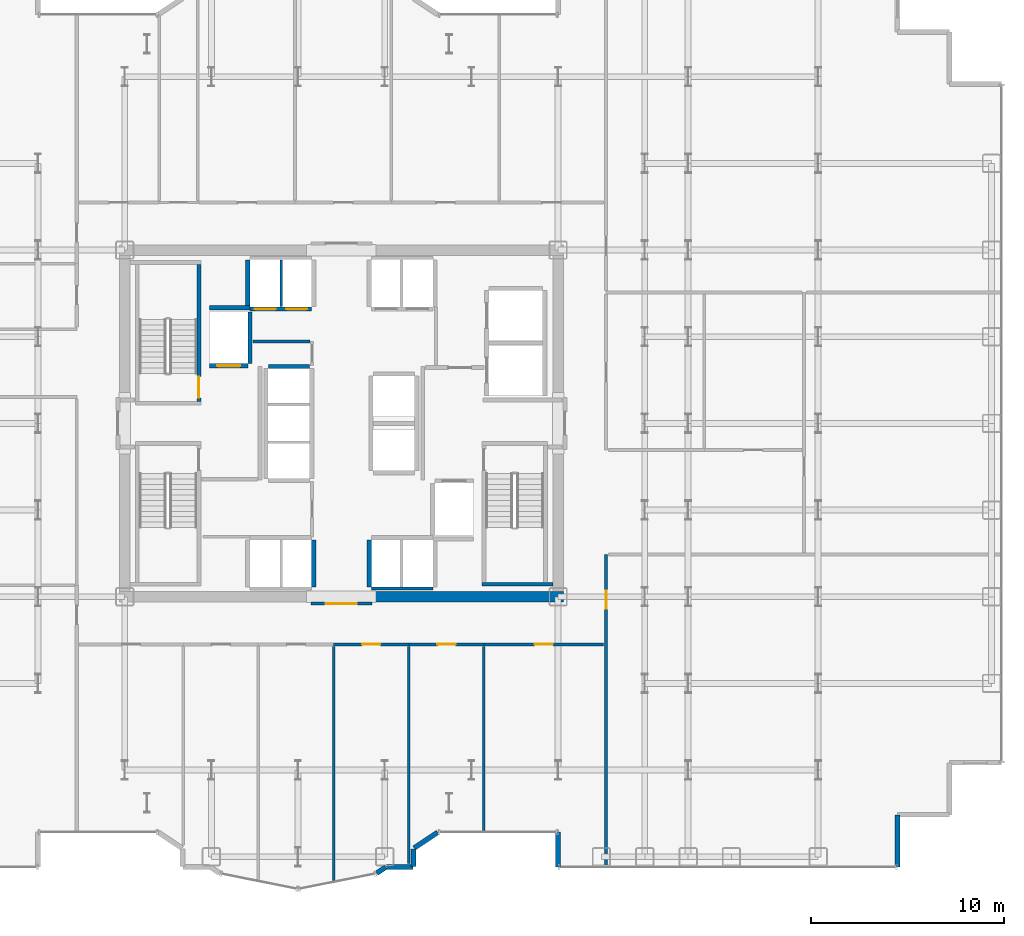
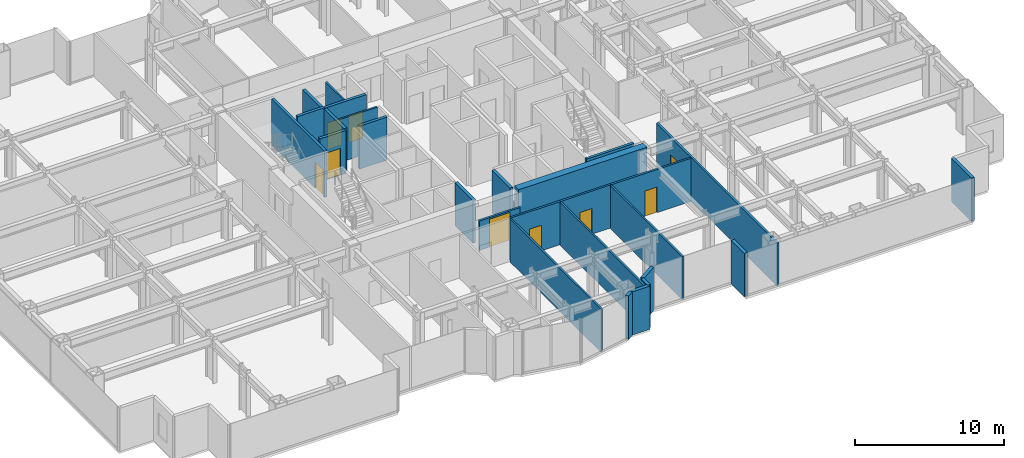
# One storey, part 21 of 25: 28 walls, 9 doors, 9 openings.
"""IFC4 building model written with IfcOpenShell, lengths in metres."""

from ifc_helpers import new_model, si_unit, direction, frame, frame_2d, origin, place, context, subcontext, project, spatial, rectangle, extrude, source, transform, mapped, material, layer, layer_set, type_object, element, fill, save


model = new_model("IFC4")

# Units and contexts
model_context = context("Model", 3, precision=1e-05, world=origin(), true_north=direction((0.0, 1.0)))
body_context = subcontext(model_context, "Body", "Model", "MODEL_VIEW")
ifc_project = project(units=[si_unit("LENGTHUNIT", "METRE"), si_unit("AREAUNIT", "SQUARE_METRE"), si_unit("VOLUMEUNIT", "CUBIC_METRE"), si_unit("PLANEANGLEUNIT", "RADIAN"), si_unit("MASSUNIT", "GRAM", prefix="KILO")], contexts=[model_context])

# Site, building, storey
site_placement = place(None, origin())
site = spatial("IfcSite", under=ifc_project, at=site_placement, CompositionType="ELEMENT")
building_placement = place(site_placement, origin())
building = spatial("IfcBuilding", under=site, at=building_placement, Name="Nefas-Gora Pilgrimage Tower", CompositionType="ELEMENT")
storey_placement = place(building_placement, frame((0.0, 0.0, 98.39990234375)))
storey = spatial("IfcBuildingStorey", under=building, at=storey_placement, Name="L23", CompositionType="ELEMENT", Elevation=98.39990234375)

# Walls
ifc_material_1 = material(Name="Concrete C60/75", Category="concrete")
ifc_layer_1 = layer(ifc_material_1, 0.550048828125)
ifc_layer_set_1 = layer_set([ifc_layer_1], Name="Concrete C60/75")
wall_type_1 = type_object("IfcWallType", Name="SW-CORE-550", PredefinedType="SHEAR", material=ifc_layer_set_1)
shared_shape_1 = source(origin(), body_context, "Body", "SweptSolid", [
    extrude(rectangle(XDim=9.974853515625, YDim=0.550048828125, at=frame_2d((4.9873046875, 0.0))), origin(), (0.0, 0.0, 1.0), 3.800048828125),
])
wall_1_placement = place(storey_placement, frame((1.550048828125, -9.0, 0.0), z_axis=(0.0, 0.0, 1.0), x_axis=(1.0, 0.0, 0.0)))
element("IfcWall", 1, at=wall_1_placement, inside=storey, type_object=wall_type_1, Name="L23 Core Shear Wall S-East", PredefinedType="SHEAR", context=body_context, shape_type="MappedRepresentation", body=[
    mapped(shared_shape_1, transform((0.0, 0.0, 0.0), x_axis=(1.0, 0.0, 0.0), y_axis=(0.0, 1.0, 0.0), z_axis=(0.0, 0.0, 1.0), scale=1.0)),
])
ifc_material_2 = material(Name="Precast concrete C40/50", Category="concrete")
ifc_layer_2 = layer(ifc_material_2, 0.260009765625)
ifc_layer_set_2 = layer_set([ifc_layer_2], Name="Precast concrete C40/50")
wall_type_2 = type_object("IfcWallType", Name="EW-PORTAL-260", PredefinedType="SOLIDWALL", material=ifc_layer_set_2)
shared_shape_2 = source(origin(), body_context, "Body", "SweptSolid", [
    extrude(rectangle(XDim=1.800048828125, YDim=0.260009765625, at=frame_2d((0.89990234375, 0.0))), origin(), (0.0, 0.0, 1.0), 3.550048828125),
])
wall_2_placement = place(storey_placement, frame((11.25, -21.219970703125, 0.0), z_axis=(0.0, 0.0, 1.0), x_axis=(0.0, -1.0, 0.0)))
element("IfcWall", 2, at=wall_2_placement, inside=storey, type_object=wall_type_2, Name="L23 Lobe Shoulder Precast Spandrel Pier 1", PredefinedType="SOLIDWALL", context=body_context, shape_type="MappedRepresentation", body=[
    mapped(shared_shape_2, transform((0.0, 0.0, 0.0), x_axis=(1.0, 0.0, 0.0), y_axis=(0.0, 1.0, 0.0), z_axis=(0.0, 0.0, 1.0), scale=1.0)),
])
ifc_material_3 = material(Name="Precast concrete C45/55", Category="concrete")
ifc_layer_3 = layer(ifc_material_3, 0.239990234375)
ifc_layer_set_3 = layer_set([ifc_layer_3], Name="Precast concrete C45/55")
wall_type_3 = type_object("IfcWallType", Name="EW-SERR-240", PredefinedType="SHEAR", material=ifc_layer_set_3)
shared_shape_3 = source(origin(), body_context, "Body", "SweptSolid", [
    extrude(rectangle(XDim=2.699951171875, YDim=0.239990234375, at=frame_2d((1.35009765625, 0.0))), origin(), (0.0, 0.0, 1.0), 3.550048828125),
])
wall_3_placement = place(storey_placement, frame((28.8701171875, -23.02001953125, 0.0), z_axis=(0.0, 0.0, 1.0), x_axis=(0.0, 1.0, 0.0)))
element("IfcWall", 3, at=wall_3_placement, inside=storey, type_object=wall_type_3, Name="L23 Serrated Corner Shear Pier Wall 2", PredefinedType="SHEAR", context=body_context, shape_type="MappedRepresentation", body=[
    mapped(shared_shape_3, transform((0.0, 0.0, 0.0), x_axis=(1.0, 0.0, 0.0), y_axis=(0.0, 1.0, 0.0), z_axis=(0.0, 0.0, 1.0), scale=1.0)),
])
shared_shape_4 = source(origin(), body_context, "Body", "SweptSolid", [
    extrude(rectangle(XDim=1.468994140625, YDim=0.260009765625, at=frame_2d((0.734375, 0.0))), origin(), (0.0, 0.0, 1.0), 3.550048828125),
])
wall_4_placement = place(storey_placement, frame((3.773193359375, -22.0517578125, 0.0), z_axis=(0.0, 0.0, 1.0), x_axis=(0.831461760506, 0.555581983884, 0.0)))
element("IfcWall", 4, at=wall_4_placement, inside=storey, type_object=wall_type_2, Name="L23 Lobe Shoulder Precast Spandrel Pier 36", PredefinedType="SOLIDWALL", context=body_context, shape_type="MappedRepresentation", body=[
    mapped(shared_shape_4, transform((0.0, 0.0, 0.0), x_axis=(1.0, 0.0, 0.0), y_axis=(0.0, 1.0, 0.0), z_axis=(0.0, 0.0, 1.0), scale=1.0)),
])
shared_shape_5 = source(origin(), body_context, "Body", "SweptSolid", [
    extrude(rectangle(XDim=0.896728515625, YDim=0.260009765625, at=frame_2d((0.4482421875, 0.0))), origin(), (0.0, 0.0, 1.0), 3.550048828125),
])
wall_5_placement = place(storey_placement, frame((3.75, -22.991943359375, 0.0), z_axis=(0.0, 0.0, 1.0), x_axis=(0.0, 1.0, 0.0)))
element("IfcWall", 5, at=wall_5_placement, inside=storey, type_object=wall_type_2, Name="L23 Lobe Shoulder Precast Spandrel Pier 35", PredefinedType="SOLIDWALL", context=body_context, shape_type="MappedRepresentation", body=[
    mapped(shared_shape_5, transform((0.0, 0.0, 0.0), x_axis=(1.0, 0.0, 0.0), y_axis=(0.0, 1.0, 0.0), z_axis=(0.0, 0.0, 1.0), scale=1.0)),
])
shared_shape_6 = source(origin(), body_context, "Body", "SweptSolid", [
    extrude(rectangle(XDim=1.369873046875, YDim=0.260009765625, at=frame_2d((0.68505859375, 0.0))), origin(), (0.0, 0.0, 1.0), 3.550048828125),
])
wall_6_placement = place(storey_placement, frame((2.35205078125, -23.02001953125, 0.0), z_axis=(0.0, 0.0, 1.0), x_axis=(1.0, 0.0, 0.0)))
element("IfcWall", 6, at=wall_6_placement, inside=storey, type_object=wall_type_2, Name="L23 Lobe Shoulder Precast Spandrel Pier 34", PredefinedType="SOLIDWALL", context=body_context, shape_type="MappedRepresentation", body=[
    mapped(shared_shape_6, transform((0.0, 0.0, 0.0), x_axis=(1.0, 0.0, 0.0), y_axis=(0.0, 1.0, 0.0), z_axis=(0.0, 0.0, 1.0), scale=1.0)),
])
shared_shape_7 = source(origin(), body_context, "Body", "SweptSolid", [
    extrude(rectangle(XDim=0.5654296875, YDim=0.260009765625, at=frame_2d((0.28271484375, 0.0))), origin(), (0.0, 0.0, 1.0), 3.550048828125),
])
wall_7_placement = place(storey_placement, frame((1.83056640625, -23.349609375, 0.0), z_axis=(0.0, 0.0, 1.0), x_axis=(0.831651492666, 0.555297933317, 0.0)))
element("IfcWall", 7, at=wall_7_placement, inside=storey, type_object=wall_type_2, Name="L23 Lobe Shoulder Precast Spandrel Pier 33", PredefinedType="SOLIDWALL", context=body_context, shape_type="MappedRepresentation", body=[
    mapped(shared_shape_7, transform((0.0, 0.0, 0.0), x_axis=(1.0, 0.0, 0.0), y_axis=(0.0, 1.0, 0.0), z_axis=(0.0, 0.0, 1.0), scale=1.0)),
])

# Wall, opening, door
ifc_material_4 = material(Name="Concrete C45/55", Category="concrete")
ifc_layer_4 = layer(ifc_material_4, 0.199951171875)
ifc_layer_set_4 = layer_set([ifc_layer_4], Name="Concrete C45/55")
wall_type_4 = type_object("IfcWallType", Name="IW-STAIR-200", PredefinedType="SOLIDWALL", material=ifc_layer_set_4)
shared_shape_8 = source(origin(), body_context, "Body", "SweptSolid", [
    extrude(rectangle(XDim=7.10009765625, YDim=0.199951171875, at=frame_2d((3.550048828125, 0.0))), origin(), (0.0, 0.0, 1.0), 3.800048828125),
])
wall_8_placement = place(storey_placement, frame((-7.39990234375, 1.14990234375, 0.0), z_axis=(0.0, 0.0, 1.0), x_axis=(0.0, 1.0, 0.0)))
wall_8 = element("IfcWall", 8, at=wall_8_placement, inside=storey, type_object=wall_type_4, Name="L23 Stairwell Shear Wall ST-01-left", PredefinedType="SOLIDWALL", context=body_context, shape_type="MappedRepresentation", body=[
    mapped(shared_shape_8, transform((0.0, 0.0, 0.0), x_axis=(1.0, 0.0, 0.0), y_axis=(0.0, 1.0, 0.0), z_axis=(0.0, 0.0, 1.0), scale=1.0)),
])
opening_1_placement = place(wall_8_placement, frame((0.179931640625, 0.0, 0.0)))
opening_1 = element("IfcOpeningElement", 9, at=opening_1_placement, cuts=wall_8, Name="Opening ID-ST1", PredefinedType="OPENING", context=body_context, shape_type="SweptSolid", body=[
    extrude(rectangle(XDim=1.10009765625, YDim=2.14990234375, at=frame_2d((0.550048828125, 1.074951171875))), frame((0.0, 0.10986328125, 0.0), z_axis=(0.0, -1.0, 0.0), x_axis=(1.0, 0.0, 0.0)), (0.0, 0.0, 1.0), 0.219970703125),
])
ifc_material_5 = material(Name="Painted galvanised steel fire stair door", Category="steel")
door_type_1 = type_object("IfcDoorType", Name="DR-INT-STAIR-1100", OperationType="NOTDEFINED", PredefinedType="DOOR", material=ifc_material_5)
shared_shape_9 = source(origin(), body_context, "Body", "SweptSolid", [
    extrude(rectangle(XDim=1.10009765625, YDim=2.14990234375, at=frame_2d((0.550048828125, 1.074951171875))), frame((0.0, 0.02490234375, 0.0), z_axis=(0.0, -1.0, 0.0), x_axis=(1.0, 0.0, 0.0)), (0.0, 0.0, 1.0), 0.050048828125),
])
door_1_placement = place(opening_1_placement, origin())
door_1 = element("IfcDoor", 10, at=door_1_placement, inside=storey, type_object=door_type_1, Name="L23 Protected Exit Stair Door ST-01", OperationType="SINGLE_SWING_LEFT", OverallHeight=2.14990234375, OverallWidth=1.10009765625, PredefinedType="DOOR", context=body_context, shape_type="MappedRepresentation", body=[
    mapped(shared_shape_9, transform((0.0, 0.0, 0.0), x_axis=(1.0, 0.0, 0.0), y_axis=(0.0, 1.0, 0.0), z_axis=(0.0, 0.0, 1.0), scale=1.0)),
])
fill(opening_1, door_1)

# Walls
shared_shape_10 = source(origin(), body_context, "Body", "SweptSolid", [
    extrude(rectangle(XDim=3.679931640625, YDim=0.199951171875, at=frame_2d((1.83984375, 0.0))), origin(), (0.0, 0.0, 1.0), 3.800048828125),
])
wall_9_placement = place(storey_placement, frame((7.300048828125, -8.35009765625, 0.0), z_axis=(0.0, 0.0, 1.0), x_axis=(1.0, 0.0, 0.0)))
element("IfcWall", 11, at=wall_9_placement, inside=storey, type_object=wall_type_4, Name="L23 Stairwell Shear Wall ST-02-far", PredefinedType="SOLIDWALL", context=body_context, shape_type="MappedRepresentation", body=[
    mapped(shared_shape_10, transform((0.0, 0.0, 0.0), x_axis=(1.0, 0.0, 0.0), y_axis=(0.0, 1.0, 0.0), z_axis=(0.0, 0.0, 1.0), scale=1.0)),
])
ifc_material_6 = material(Name="Gypsum acoustic stud partition")
ifc_layer_5 = layer(ifc_material_6, 0.159912109375)
ifc_layer_set_5 = layer_set([ifc_layer_5], Name="Gypsum acoustic stud partition")
wall_type_5 = type_object("IfcWallType", Name="IW-CORR-160", PredefinedType="PARTITIONING", material=ifc_layer_set_5)
shared_shape_11 = source(origin(), body_context, "Body", "SweptSolid", [
    extrude(rectangle(XDim=3.199951171875, YDim=0.159912109375, at=frame_2d((1.60009765625, 0.0))), origin(), (0.0, 0.0, 1.0), 2.425048828125),
])
wall_10_placement = place(storey_placement, frame((1.550048828125, -8.580078125, 0.0), z_axis=(0.0, 0.0, 1.0), x_axis=(1.0, 0.0, 0.0)))
element("IfcWall", 12, at=wall_10_placement, inside=storey, type_object=wall_type_5, Name="L23 Hoistway Wall PL2-E-S", PredefinedType="PARTITIONING", context=body_context, shape_type="MappedRepresentation", body=[
    mapped(shared_shape_11, transform((0.0, 0.0, 0.0), x_axis=(1.0, 0.0, 0.0), y_axis=(0.0, 1.0, 0.0), z_axis=(0.0, 0.0, 1.0), scale=1.0)),
])

# Wall, opening, door
ifc_material_7 = material(Name="Concrete C40/50", Category="concrete")
ifc_layer_6 = layer(ifc_material_7, 0.219970703125)
ifc_layer_set_6 = layer_set([ifc_layer_6], Name="Concrete C40/50")
wall_type_6 = type_object("IfcWallType", Name="IW-SHAFT-220", PredefinedType="SOLIDWALL", material=ifc_layer_set_6)
shared_shape_12 = source(origin(), body_context, "Body", "SweptSolid", [
    extrude(rectangle(XDim=2.0, YDim=0.219970703125, at=frame_2d((1.0, 0.0))), origin(), (0.0, 0.0, 1.0), 3.53515625),
])
wall_11_placement = place(storey_placement, frame((-6.85009765625, 2.989990234375, 0.0), z_axis=(0.0, 0.0, 1.0), x_axis=(1.0, 0.0, 0.0)))
wall_11 = element("IfcWall", 13, at=wall_11_placement, inside=storey, type_object=wall_type_6, Name="L23 Hoistway Wall FFL-01-S", PredefinedType="SOLIDWALL", context=body_context, shape_type="MappedRepresentation", body=[
    mapped(shared_shape_12, transform((0.0, 0.0, 0.0), x_axis=(1.0, 0.0, 0.0), y_axis=(0.0, 1.0, 0.0), z_axis=(0.0, 0.0, 1.0), scale=1.0)),
])
opening_2_placement = place(wall_11_placement, frame((0.39990234375, 0.0, 0.0)))
opening_2 = element("IfcOpeningElement", 14, at=opening_2_placement, cuts=wall_11, Name="Opening LD-FF", PredefinedType="OPENING", context=body_context, shape_type="SweptSolid", body=[
    extrude(rectangle(XDim=1.199951171875, YDim=2.199951171875, at=frame_2d((0.60009765625, 1.10009765625))), frame((0.0, 0.119873046875, 0.0), z_axis=(0.0, -1.0, 0.0), x_axis=(1.0, 0.0, 0.0)), (0.0, 0.0, 1.0), 0.239990234375),
])
ifc_material_8 = material(Name="Fire-service sliding lift landing door")
door_type_2 = type_object("IfcDoorType", Name="DR-LIFT-FSAE-1200", OperationType="SLIDING_TO_LEFT", PredefinedType="DOOR", material=ifc_material_8)
shared_shape_13 = source(origin(), body_context, "Body", "SweptSolid", [
    extrude(rectangle(XDim=1.199951171875, YDim=2.199951171875, at=frame_2d((0.60009765625, 1.10009765625))), frame((0.0, 0.02490234375, 0.0), z_axis=(0.0, -1.0, 0.0), x_axis=(1.0, 0.0, 0.0)), (0.0, 0.0, 1.0), 0.050048828125),
])
door_2_placement = place(opening_2_placement, origin())
door_2 = element("IfcDoor", 15, at=door_2_placement, inside=storey, type_object=door_type_2, Name="L23 Sliding Lift Landing Door FFL-01", OperationType="SLIDING_TO_LEFT", OverallHeight=2.199951171875, OverallWidth=1.199951171875, PredefinedType="DOOR", context=body_context, shape_type="MappedRepresentation", body=[
    mapped(shared_shape_13, transform((0.0, 0.0, 0.0), x_axis=(1.0, 0.0, 0.0), y_axis=(0.0, 1.0, 0.0), z_axis=(0.0, 0.0, 1.0), scale=1.0)),
])
fill(opening_2, door_2)

# Wall
shared_shape_14 = source(origin(), body_context, "Body", "SweptSolid", [
    extrude(rectangle(XDim=2.679931640625, YDim=0.219970703125, at=frame_2d((1.33984375, 0.0))), origin(), (0.0, 0.0, 1.0), 3.53515625),
])
wall_12_placement = place(storey_placement, frame((-4.739990234375, 3.110107421875, 0.0), z_axis=(0.0, 0.0, 1.0), x_axis=(0.0, 1.0, 0.0)))
element("IfcWall", 16, at=wall_12_placement, inside=storey, type_object=wall_type_6, Name="L23 Hoistway Wall FFL-01-E", PredefinedType="SOLIDWALL", context=body_context, shape_type="MappedRepresentation", body=[
    mapped(shared_shape_14, transform((0.0, 0.0, 0.0), x_axis=(1.0, 0.0, 0.0), y_axis=(0.0, 1.0, 0.0), z_axis=(0.0, 0.0, 1.0), scale=1.0)),
])

# Wall, openings, doors
shared_shape_15 = source(origin(), body_context, "Body", "SweptSolid", [
    extrude(rectangle(XDim=3.199951171875, YDim=0.219970703125, at=frame_2d((1.60009765625, 0.0))), origin(), (0.0, 0.0, 1.0), 3.53515625),
])
wall_13_placement = place(storey_placement, frame((-4.75, 5.93994140625, 0.0), z_axis=(0.0, 0.0, 1.0), x_axis=(1.0, 0.0, 0.0)))
wall_13 = element("IfcWall", 17, at=wall_13_placement, inside=storey, type_object=wall_type_6, Name="L23 Hoistway Wall PL1-W-S", PredefinedType="SOLIDWALL", context=body_context, shape_type="MappedRepresentation", body=[
    mapped(shared_shape_15, transform((0.0, 0.0, 0.0), x_axis=(1.0, 0.0, 0.0), y_axis=(0.0, 1.0, 0.0), z_axis=(0.0, 0.0, 1.0), scale=1.0)),
])
opening_3_placement = place(wall_13_placement, frame((0.25, 0.0, 0.0)))
opening_3 = element("IfcOpeningElement", 18, at=opening_3_placement, cuts=wall_13, Name="Opening LD-01", PredefinedType="OPENING", context=body_context, shape_type="SweptSolid", body=[
    extrude(rectangle(XDim=1.10009765625, YDim=2.199951171875, at=frame_2d((0.550048828125, 1.10009765625))), frame((0.0, 0.119873046875, 0.0), z_axis=(0.0, -1.0, 0.0), x_axis=(1.0, 0.0, 0.0)), (0.0, 0.0, 1.0), 0.239990234375),
])
opening_4_placement = place(wall_13_placement, frame((1.875, 0.0, 0.0)))
opening_4 = element("IfcOpeningElement", 19, at=opening_4_placement, cuts=wall_13, Name="Opening LD-01", PredefinedType="OPENING", context=body_context, shape_type="SweptSolid", body=[
    extrude(rectangle(XDim=1.10009765625, YDim=2.199951171875, at=frame_2d((0.550048828125, 1.10009765625))), frame((0.0, 0.119873046875, 0.0), z_axis=(0.0, -1.0, 0.0), x_axis=(1.0, 0.0, 0.0)), (0.0, 0.0, 1.0), 0.239990234375),
])
ifc_material_9 = material(Name="Brushed stainless sliding lift landing door")
door_type_3 = type_object("IfcDoorType", Name="DR-LIFT-PASS-1100", OperationType="DOUBLE_DOOR_SLIDING", PredefinedType="DOOR", material=ifc_material_9)
shared_shape_16 = source(origin(), body_context, "Body", "SweptSolid", [
    extrude(rectangle(XDim=1.10009765625, YDim=2.199951171875, at=frame_2d((0.550048828125, 1.10009765625))), frame((0.0, 0.02490234375, 0.0), z_axis=(0.0, -1.0, 0.0), x_axis=(1.0, 0.0, 0.0)), (0.0, 0.0, 1.0), 0.050048828125),
])
door_3_placement = place(opening_3_placement, origin())
door_3 = element("IfcDoor", 20, at=door_3_placement, inside=storey, type_object=door_type_3, Name="L23 Sliding Lift Landing Door PL1-01", OperationType="DOUBLE_DOOR_SLIDING", OverallHeight=2.199951171875, OverallWidth=1.10009765625, PredefinedType="DOOR", context=body_context, shape_type="MappedRepresentation", body=[
    mapped(shared_shape_16, transform((0.0, 0.0, 0.0), x_axis=(1.0, 0.0, 0.0), y_axis=(0.0, 1.0, 0.0), z_axis=(0.0, 0.0, 1.0), scale=1.0)),
])
fill(opening_3, door_3)
door_4_placement = place(opening_4_placement, origin())
door_4 = element("IfcDoor", 21, at=door_4_placement, inside=storey, type_object=door_type_3, Name="L23 Sliding Lift Landing Door PL1-02", OperationType="DOUBLE_DOOR_SLIDING", OverallHeight=2.199951171875, OverallWidth=1.10009765625, PredefinedType="DOOR", context=body_context, shape_type="MappedRepresentation", body=[
    mapped(shared_shape_16, transform((0.0, 0.0, 0.0), x_axis=(1.0, 0.0, 0.0), y_axis=(0.0, 1.0, 0.0), z_axis=(0.0, 0.0, 1.0), scale=1.0)),
])
fill(opening_4, door_4)

# Walls
shared_shape_17 = source(origin(), body_context, "Body", "SweptSolid", [
    extrude(rectangle(XDim=2.429931640625, YDim=0.219970703125, at=frame_2d((1.21484375, 0.0))), origin(), (0.0, 0.0, 1.0), 3.53515625),
])
for number, where, z_axis, x_axis, name in (
    (22, (-4.860107421875, 8.489990234375, 0.0), (0.0, 0.0, 1.0), (0.0, -1.0, 0.0), "L23 Hoistway Wall PL1-W-W"),
    (23, (-1.43994140625, -8.489990234375, 0.0), (0.0, 0.0, 1.0), (0.0, 1.0, 0.0), "L23 Hoistway Wall PL2-W-E"),
    (24, (1.43994140625, -6.06005859375, 0.0), (0.0, 0.0, 1.0), (0.0, -1.0, 0.0), "L23 Hoistway Wall PL2-E-W"),
):
    element("IfcWall", number, at=place(storey_placement, frame(where, z_axis=z_axis, x_axis=x_axis)), inside=storey, type_object=wall_type_6, Name=name, PredefinedType="SOLIDWALL", context=body_context, shape_type="MappedRepresentation", body=[
        mapped(shared_shape_17, transform((0.0, 0.0, 0.0), x_axis=(1.0, 0.0, 0.0), y_axis=(0.0, 1.0, 0.0), z_axis=(0.0, 0.0, 1.0), scale=1.0)),
    ])
ifc_material_10 = material(Name="Gypsum twin-stud partition")
ifc_layer_7 = layer(ifc_material_10, 0.139892578125)
ifc_layer_set_7 = layer_set([ifc_layer_7], Name="Gypsum twin-stud partition")
wall_type_7 = type_object("IfcWallType", Name="IW-UNIT-140", PredefinedType="PARTITIONING", material=ifc_layer_set_7)
shared_shape_18 = source(origin(), body_context, "Body", "SweptSolid", [
    extrude(rectangle(XDim=2.429931640625, YDim=0.139892578125, at=frame_2d((1.21484375, 0.0))), origin(), (0.0, 0.0, 1.0), 3.53515625),
])
wall_14_placement = place(storey_placement, frame((-3.125, 6.06005859375, 0.0), z_axis=(0.0, 0.0, 1.0), x_axis=(0.0, 1.0, 0.0)))
element("IfcWall", 25, at=wall_14_placement, inside=storey, type_object=wall_type_7, Name="L23 Hoistway Wall PL1-W-DIV", PredefinedType="PARTITIONING", context=body_context, shape_type="MappedRepresentation", body=[
    mapped(shared_shape_18, transform((0.0, 0.0, 0.0), x_axis=(1.0, 0.0, 0.0), y_axis=(0.0, 1.0, 0.0), z_axis=(0.0, 0.0, 1.0), scale=1.0)),
])
shared_shape_19 = source(origin(), body_context, "Body", "SweptSolid", [
    extrude(rectangle(XDim=2.130126953125, YDim=0.219970703125, at=frame_2d((1.06494140625, 0.0))), origin(), (0.0, 0.0, 1.0), 3.53515625),
])
wall_15_placement = place(storey_placement, frame((-1.659912109375, 2.9599609375, 0.0), z_axis=(0.0, 0.0, 1.0), x_axis=(-1.0, 0.0, 0.0)))
element("IfcWall", 26, at=wall_15_placement, inside=storey, type_object=wall_type_6, Name="L23 Hoistway Wall PL3-03-N", PredefinedType="SOLIDWALL", context=body_context, shape_type="MappedRepresentation", body=[
    mapped(shared_shape_19, transform((0.0, 0.0, 0.0), x_axis=(1.0, 0.0, 0.0), y_axis=(0.0, 1.0, 0.0), z_axis=(0.0, 0.0, 1.0), scale=1.0)),
])
shared_shape_20 = source(origin(), body_context, "Body", "SweptSolid", [
    extrude(rectangle(XDim=2.09521484375, YDim=0.219970703125, at=frame_2d((1.047607421875, 0.0))), origin(), (0.0, 0.0, 1.0), 3.53515625),
])
wall_16_placement = place(storey_placement, frame((-6.85009765625, 6.0, 0.0), z_axis=(0.0, 0.0, 1.0), x_axis=(1.0, 0.0, 0.0)))
element("IfcWall", 27, at=wall_16_placement, inside=storey, type_object=wall_type_6, Name="L23 Riser Shaft Wall 1", PredefinedType="SOLIDWALL", context=body_context, shape_type="MappedRepresentation", body=[
    mapped(shared_shape_20, transform((0.0, 0.0, 0.0), x_axis=(1.0, 0.0, 0.0), y_axis=(0.0, 1.0, 0.0), z_axis=(0.0, 0.0, 1.0), scale=1.0)),
])
shared_shape_21 = source(origin(), body_context, "Body", "SweptSolid", [
    extrude(rectangle(XDim=2.9501953125, YDim=0.139892578125, at=frame_2d((1.47509765625, 0.0))), origin(), (0.0, 0.0, 1.0), 3.53515625),
])
wall_17_placement = place(storey_placement, frame((-4.590087890625, 4.25, 0.0), z_axis=(0.0, 0.0, 1.0), x_axis=(1.0, 0.0, 0.0)))
element("IfcWall", 28, at=wall_17_placement, inside=storey, type_object=wall_type_7, Name="L23 Housekeeping and Linen Store Partition Wall 17", PredefinedType="PARTITIONING", context=body_context, shape_type="MappedRepresentation", body=[
    mapped(shared_shape_21, transform((0.0, 0.0, 0.0), x_axis=(1.0, 0.0, 0.0), y_axis=(0.0, 1.0, 0.0), z_axis=(0.0, 0.0, 1.0), scale=1.0)),
])
shared_shape_22 = source(origin(), body_context, "Body", "SweptSolid", [
    extrude(rectangle(XDim=9.64990234375, YDim=0.139892578125, at=frame_2d((4.824951171875, 0.0))), origin(), (0.0, 0.0, 1.0), 3.53515625),
])
wall_18_placement = place(storey_placement, frame((7.39501953125, -21.239990234375, 0.0), z_axis=(0.0, 0.0, 1.0), x_axis=(0.0, 1.0, 0.0)))
element("IfcWall", 29, at=wall_18_placement, inside=storey, type_object=wall_type_7, Name="L23 Pilgrim Contemplative Lounge Partition Wall 60", PredefinedType="PARTITIONING", context=body_context, shape_type="MappedRepresentation", body=[
    mapped(shared_shape_22, transform((0.0, 0.0, 0.0), x_axis=(1.0, 0.0, 0.0), y_axis=(0.0, 1.0, 0.0), z_axis=(0.0, 0.0, 1.0), scale=1.0)),
])

# Wall, opening, door
shared_shape_23 = source(origin(), body_context, "Body", "SweptSolid", [
    extrude(rectangle(XDim=3.16015625, YDim=0.159912109375, at=frame_2d((1.580078125, 0.0))), origin(), (0.0, 0.0, 1.0), 2.425048828125),
])
wall_19_placement = place(storey_placement, frame((-1.580078125, -9.35009765625, 0.0), z_axis=(0.0, 0.0, 1.0), x_axis=(1.0, 0.0, 0.0)))
wall_19 = element("IfcWall", 30, at=wall_19_placement, inside=storey, type_object=wall_type_5, Name="L23 Central Lift Lobby South Portal Wall 14", PredefinedType="PARTITIONING", context=body_context, shape_type="MappedRepresentation", body=[
    mapped(shared_shape_23, transform((0.0, 0.0, 0.0), x_axis=(1.0, 0.0, 0.0), y_axis=(0.0, 1.0, 0.0), z_axis=(0.0, 0.0, 1.0), scale=1.0)),
])
opening_5_placement = place(wall_19_placement, frame((0.780029296875, 0.0, 0.0)))
opening_5 = element("IfcOpeningElement", 31, at=opening_5_placement, cuts=wall_19, Name="Opening ID-HL1", PredefinedType="OPENING", context=body_context, shape_type="SweptSolid", body=[
    extrude(rectangle(XDim=1.60009765625, YDim=2.300048828125, at=frame_2d((0.800048828125, 1.14990234375))), frame((0.0, 0.08984375, 0.0), z_axis=(0.0, -1.0, 0.0), x_axis=(1.0, 0.0, 0.0)), (0.0, 0.0, 1.0), 0.179931640625),
])
ifc_material_11 = material(Name="Double acoustic timber assembly hall door", Category="wood")
door_type_4 = type_object("IfcDoorType", Name="DR-INT-HALL-1600", OperationType="DOUBLE_DOOR_SINGLE_SWING", PredefinedType="DOOR", material=ifc_material_11)
shared_shape_24 = source(origin(), body_context, "Body", "SweptSolid", [
    extrude(rectangle(XDim=1.60009765625, YDim=2.300048828125, at=frame_2d((0.800048828125, 1.14990234375))), frame((0.0, 0.02490234375, 0.0), z_axis=(0.0, -1.0, 0.0), x_axis=(1.0, 0.0, 0.0)), (0.0, 0.0, 1.0), 0.050048828125),
])
door_5_placement = place(opening_5_placement, origin())
door_5 = element("IfcDoor", 32, at=door_5_placement, inside=storey, type_object=door_type_4, Name="L23 Central Lift Lobby South Portal Door 5", OperationType="DOUBLE_DOOR_SINGLE_SWING", OverallHeight=2.300048828125, OverallWidth=1.60009765625, PredefinedType="DOOR", context=body_context, shape_type="MappedRepresentation", body=[
    mapped(shared_shape_24, transform((0.0, 0.0, 0.0), x_axis=(1.0, 0.0, 0.0), y_axis=(0.0, 1.0, 0.0), z_axis=(0.0, 0.0, 1.0), scale=1.0)),
])
fill(opening_5, door_5)

shared_shape_25 = source(origin(), body_context, "Body", "SweptSolid", [
    extrude(rectangle(XDim=16.2451171875, YDim=0.159912109375, at=frame_2d((8.12255859375, 0.0))), origin(), (0.0, 0.0, 1.0), 3.53515625),
])
wall_20_placement = place(storey_placement, frame((13.739990234375, -23.0400390625, 0.0), z_axis=(0.0, 0.0, 1.0), x_axis=(0.0, 1.0, 0.0)))
wall_20 = element("IfcWall", 33, at=wall_20_placement, inside=storey, type_object=wall_type_5, Name="L23 Pilgrim Fellowship Seminar Room Partition Wall 33", PredefinedType="PARTITIONING", context=body_context, shape_type="MappedRepresentation", body=[
    mapped(shared_shape_25, transform((0.0, 0.0, 0.0), x_axis=(1.0, 0.0, 0.0), y_axis=(0.0, 1.0, 0.0), z_axis=(0.0, 0.0, 1.0), scale=1.0)),
])
opening_6_placement = place(wall_20_placement, frame((13.41259765625, 0.0, 0.0)))
opening_6 = element("IfcOpeningElement", 34, at=opening_6_placement, cuts=wall_20, Name="Opening ID-GR1", PredefinedType="OPENING", context=body_context, shape_type="SweptSolid", body=[
    extrude(rectangle(XDim=0.949951171875, YDim=2.10009765625, at=frame_2d((0.47509765625, 1.050048828125))), frame((0.0, 0.08984375, 0.0), z_axis=(0.0, -1.0, 0.0), x_axis=(1.0, 0.0, 0.0)), (0.0, 0.0, 1.0), 0.179931640625),
])
ifc_material_12 = material(Name="Solid core oak fire-rated guest entrance door")
door_type_5 = type_object("IfcDoorType", Name="DR-INT-GUEST-950", OperationType="NOTDEFINED", PredefinedType="DOOR", material=ifc_material_12)
shared_shape_26 = source(origin(), body_context, "Body", "SweptSolid", [
    extrude(rectangle(XDim=0.949951171875, YDim=2.10009765625, at=frame_2d((0.47509765625, 1.050048828125))), frame((0.0, 0.02490234375, 0.0), z_axis=(0.0, -1.0, 0.0), x_axis=(1.0, 0.0, 0.0)), (0.0, 0.0, 1.0), 0.050048828125),
])
door_6_placement = place(opening_6_placement, origin())
door_6 = element("IfcDoor", 35, at=door_6_placement, inside=storey, type_object=door_type_5, Name="L23 Pilgrim Fellowship Seminar Room Door 14", OperationType="SINGLE_SWING_LEFT", OverallHeight=2.10009765625, OverallWidth=0.949951171875, PredefinedType="DOOR", context=body_context, shape_type="MappedRepresentation", body=[
    mapped(shared_shape_26, transform((0.0, 0.0, 0.0), x_axis=(1.0, 0.0, 0.0), y_axis=(0.0, 1.0, 0.0), z_axis=(0.0, 0.0, 1.0), scale=1.0)),
])
fill(opening_6, door_6)

shared_shape_27 = source(origin(), body_context, "Body", "SweptSolid", [
    extrude(rectangle(XDim=3.905029296875, YDim=0.159912109375, at=frame_2d((1.95263671875, 0.0))), origin(), (0.0, 0.0, 1.0), 3.53515625),
])
wall_21_placement = place(storey_placement, frame((-0.405029296875, -11.469970703125, 0.0), z_axis=(0.0, 0.0, 1.0), x_axis=(1.0, 0.0, 0.0)))
wall_21 = element("IfcWall", 36, at=wall_21_placement, inside=storey, type_object=wall_type_5, Name="L23 Pilgrim Contemplative Lounge Partition Wall 57", PredefinedType="PARTITIONING", context=body_context, shape_type="MappedRepresentation", body=[
    mapped(shared_shape_27, transform((0.0, 0.0, 0.0), x_axis=(1.0, 0.0, 0.0), y_axis=(0.0, 1.0, 0.0), z_axis=(0.0, 0.0, 1.0), scale=1.0)),
])
opening_7_placement = place(wall_21_placement, frame((1.4775390625, 0.0, 0.0)))
opening_7 = element("IfcOpeningElement", 37, at=opening_7_placement, cuts=wall_21, Name="Opening ID-GR1", PredefinedType="OPENING", context=body_context, shape_type="SweptSolid", body=[
    extrude(rectangle(XDim=0.949951171875, YDim=2.10009765625, at=frame_2d((0.47509765625, 1.050048828125))), frame((0.0, 0.08984375, 0.0), z_axis=(0.0, -1.0, 0.0), x_axis=(1.0, 0.0, 0.0)), (0.0, 0.0, 1.0), 0.179931640625),
])
door_7_placement = place(opening_7_placement, origin())
door_7 = element("IfcDoor", 38, at=door_7_placement, inside=storey, type_object=door_type_5, Name="L23 Pilgrim Contemplative Lounge Door 27", OperationType="SINGLE_SWING_RIGHT", OverallHeight=2.10009765625, OverallWidth=0.949951171875, PredefinedType="DOOR", context=body_context, shape_type="MappedRepresentation", body=[
    mapped(shared_shape_26, transform((0.0, 0.0, 0.0), x_axis=(1.0, 0.0, 0.0), y_axis=(0.0, 1.0, 0.0), z_axis=(0.0, 0.0, 1.0), scale=1.0)),
])
fill(opening_7, door_7)

wall_22_placement = place(storey_placement, frame((3.5, -11.469970703125, 0.0), z_axis=(0.0, 0.0, 1.0), x_axis=(1.0, 0.0, 0.0)))
wall_22 = element("IfcWall", 39, at=wall_22_placement, inside=storey, type_object=wall_type_5, Name="L23 Pilgrim Contemplative Lounge Partition Wall 59", PredefinedType="PARTITIONING", context=body_context, shape_type="MappedRepresentation", body=[
    mapped(shared_shape_27, transform((0.0, 0.0, 0.0), x_axis=(1.0, 0.0, 0.0), y_axis=(0.0, 1.0, 0.0), z_axis=(0.0, 0.0, 1.0), scale=1.0)),
])
opening_8_placement = place(wall_22_placement, frame((1.4775390625, 0.0, 0.0)))
opening_8 = element("IfcOpeningElement", 40, at=opening_8_placement, cuts=wall_22, Name="Opening ID-GR1", PredefinedType="OPENING", context=body_context, shape_type="SweptSolid", body=[
    extrude(rectangle(XDim=0.949951171875, YDim=2.10009765625, at=frame_2d((0.47509765625, 1.050048828125))), frame((0.0, 0.08984375, 0.0), z_axis=(0.0, -1.0, 0.0), x_axis=(1.0, 0.0, 0.0)), (0.0, 0.0, 1.0), 0.179931640625),
])
door_8_placement = place(opening_8_placement, origin())
door_8 = element("IfcDoor", 41, at=door_8_placement, inside=storey, type_object=door_type_5, Name="L23 Pilgrim Contemplative Lounge Door 28", OperationType="SINGLE_SWING_LEFT", OverallHeight=2.10009765625, OverallWidth=0.949951171875, PredefinedType="DOOR", context=body_context, shape_type="MappedRepresentation", body=[
    mapped(shared_shape_26, transform((0.0, 0.0, 0.0), x_axis=(1.0, 0.0, 0.0), y_axis=(0.0, 1.0, 0.0), z_axis=(0.0, 0.0, 1.0), scale=1.0)),
])
fill(opening_8, door_8)

# Walls
shared_shape_28 = source(origin(), body_context, "Body", "SweptSolid", [
    extrude(rectangle(XDim=12.235595703125, YDim=0.139892578125, at=frame_2d((6.11767578125, 0.0))), origin(), (0.0, 0.0, 1.0), 3.53515625),
])
wall_23_placement = place(storey_placement, frame((-0.405029296875, -23.82568359375, 0.0), z_axis=(0.0, 0.0, 1.0), x_axis=(0.0, 1.0, 0.0)))
element("IfcWall", 42, at=wall_23_placement, inside=storey, type_object=wall_type_7, Name="L23 Pilgrim Contemplative Lounge Partition Wall 56", PredefinedType="PARTITIONING", context=body_context, shape_type="MappedRepresentation", body=[
    mapped(shared_shape_28, transform((0.0, 0.0, 0.0), x_axis=(1.0, 0.0, 0.0), y_axis=(0.0, 1.0, 0.0), z_axis=(0.0, 0.0, 1.0), scale=1.0)),
])
shared_shape_29 = source(origin(), body_context, "Body", "SweptSolid", [
    extrude(rectangle(XDim=11.260009765625, YDim=0.139892578125, at=frame_2d((5.6298828125, 0.0))), origin(), (0.0, 0.0, 1.0), 3.53515625),
])
wall_24_placement = place(storey_placement, frame((3.489990234375, -22.85009765625, 0.0), z_axis=(0.0, 0.0, 1.0), x_axis=(0.0, 1.0, 0.0)))
element("IfcWall", 43, at=wall_24_placement, inside=storey, type_object=wall_type_7, Name="L23 Pilgrim Contemplative Lounge Partition Wall 58", PredefinedType="PARTITIONING", context=body_context, shape_type="MappedRepresentation", body=[
    mapped(shared_shape_29, transform((0.0, 0.0, 0.0), x_axis=(1.0, 0.0, 0.0), y_axis=(0.0, 1.0, 0.0), z_axis=(0.0, 0.0, 1.0), scale=1.0)),
])

# Wall, opening, door
shared_shape_30 = source(origin(), body_context, "Body", "SweptSolid", [
    extrude(rectangle(XDim=6.22509765625, YDim=0.159912109375, at=frame_2d((3.112548828125, 0.0))), origin(), (0.0, 0.0, 1.0), 3.53515625),
])
wall_25_placement = place(storey_placement, frame((7.39501953125, -11.469970703125, 0.0), z_axis=(0.0, 0.0, 1.0), x_axis=(1.0, 0.0, 0.0)))
wall_25 = element("IfcWall", 44, at=wall_25_placement, inside=storey, type_object=wall_type_5, Name="L23 Pilgrim Contemplative Lounge Partition Wall 61", PredefinedType="PARTITIONING", context=body_context, shape_type="MappedRepresentation", body=[
    mapped(shared_shape_30, transform((0.0, 0.0, 0.0), x_axis=(1.0, 0.0, 0.0), y_axis=(0.0, 1.0, 0.0), z_axis=(0.0, 0.0, 1.0), scale=1.0)),
])
opening_9_placement = place(wall_25_placement, frame((2.637451171875, 0.0, 0.0)))
opening_9 = element("IfcOpeningElement", 45, at=opening_9_placement, cuts=wall_25, Name="Opening ID-GR1", PredefinedType="OPENING", context=body_context, shape_type="SweptSolid", body=[
    extrude(rectangle(XDim=0.949951171875, YDim=2.10009765625, at=frame_2d((0.47509765625, 1.050048828125))), frame((0.0, 0.08984375, 0.0), z_axis=(0.0, -1.0, 0.0), x_axis=(1.0, 0.0, 0.0)), (0.0, 0.0, 1.0), 0.179931640625),
])
door_9_placement = place(opening_9_placement, origin())
door_9 = element("IfcDoor", 46, at=door_9_placement, inside=storey, type_object=door_type_5, Name="L23 Pilgrim Contemplative Lounge Door 29", OperationType="SINGLE_SWING_RIGHT", OverallHeight=2.10009765625, OverallWidth=0.949951171875, PredefinedType="DOOR", context=body_context, shape_type="MappedRepresentation", body=[
    mapped(shared_shape_26, transform((0.0, 0.0, 0.0), x_axis=(1.0, 0.0, 0.0), y_axis=(0.0, 1.0, 0.0), z_axis=(0.0, 0.0, 1.0), scale=1.0)),
])
fill(opening_9, door_9)

save(model, "model.ifc")
